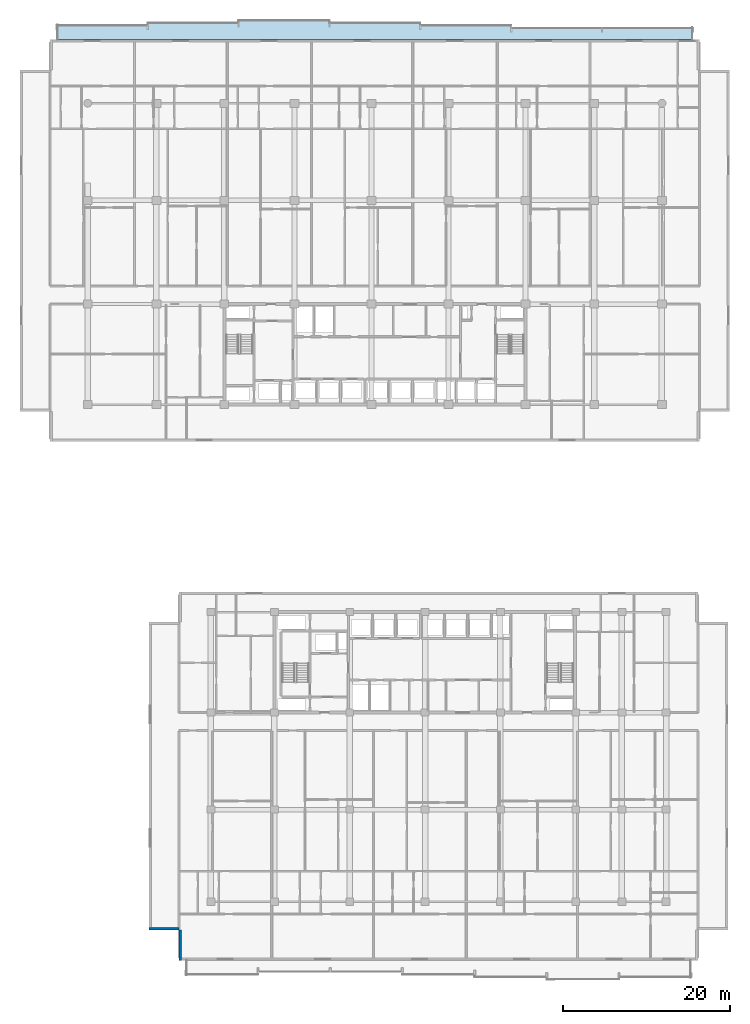
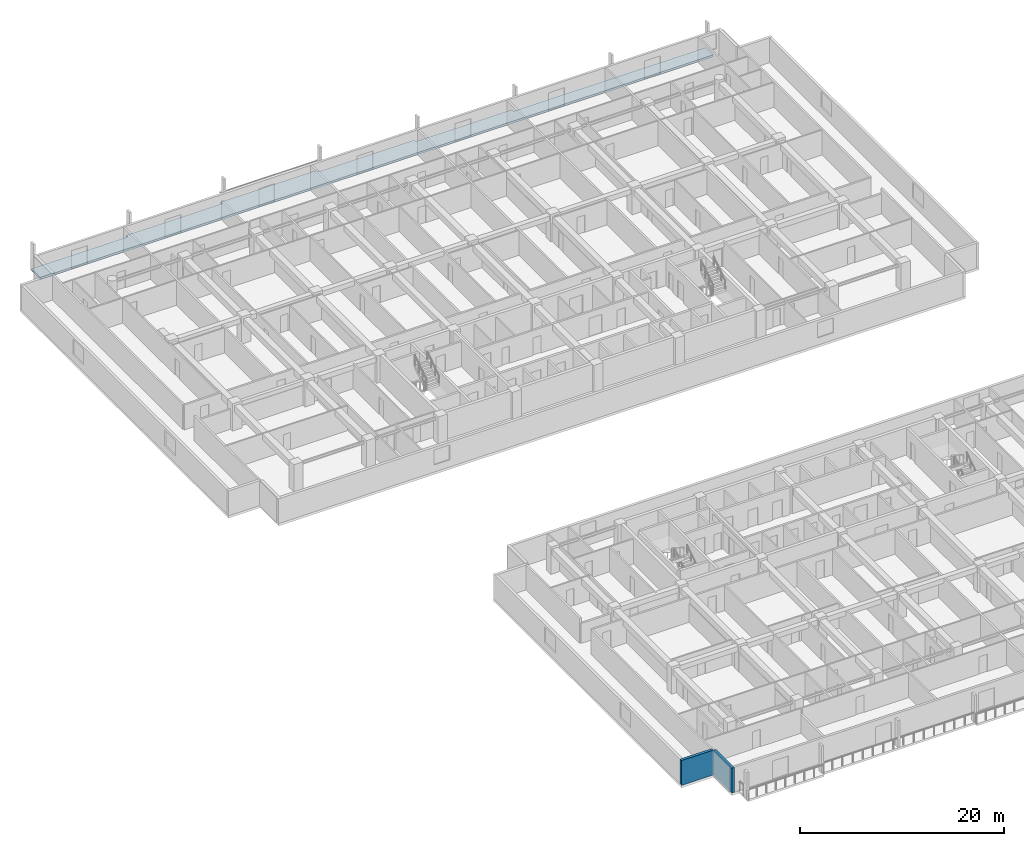
# One storey, part 3 of 23: 2 walls, 1 slab.
"""IFC4 building model written with IfcOpenShell, lengths in metres."""

from ifc_helpers import new_model, si_unit, direction, frame, frame_2d, origin, place, context, subcontext, project, spatial, polyline, rectangle, outline, extrude, material, layer, layer_set, type_object, element, save


model = new_model("IFC4")

# Units and contexts
model_context = context("Model", 3, precision=1e-05, world=origin(), true_north=direction((0.0, 1.0)))
body_context = subcontext(model_context, "Body", "Model", "MODEL_VIEW")
ifc_project = project(units=[si_unit("LENGTHUNIT", "METRE"), si_unit("AREAUNIT", "SQUARE_METRE"), si_unit("VOLUMEUNIT", "CUBIC_METRE"), si_unit("PLANEANGLEUNIT", "RADIAN"), si_unit("MASSUNIT", "GRAM", prefix="KILO")], contexts=[model_context])

# Site, building, storey
site_placement = place(None, origin())
site = spatial("IfcSite", under=ifc_project, at=site_placement, CompositionType="ELEMENT")
building_placement = place(site_placement, origin())
building = spatial("IfcBuilding", under=site, at=building_placement, Name="Korimba Cascade Residences", CompositionType="ELEMENT")
storey_placement = place(building_placement, frame((0.0, 0.0, 27.25)))
storey = spatial("IfcBuildingStorey", under=building, at=storey_placement, Name="L06", CompositionType="ELEMENT", Elevation=27.25)

# Slab
ifc_material = material(Name="Precast concrete C40/50", Category="concrete")
ifc_layer_1 = layer(ifc_material, 0.239990234375)
ifc_layer_set_1 = layer_set([ifc_layer_1], Name="Precast concrete C40/50")
slab_type = type_object("IfcSlabType", Name="SLB-LOG-240", PredefinedType="FLOOR", material=ifc_layer_set_1)
slab_placement = place(storey_placement, frame((0.0, 0.0, -0.239990234375)))
element("IfcSlab", 1, at=slab_placement, inside=storey, type_object=slab_type, Name="L06 Tower 1 North Loggia Slab", PredefinedType="FLOOR", context=body_context, shape_type="SweptSolid", body=[
    extrude(outline(polyline([(56.10009765625, 98.800048828125), (132.10009765625, 98.800048828125), (132.10009765625, 100.25), (110.3857421875, 100.25), (110.3857421875, 100.550048828125), (99.528564453125, 100.550048828125), (99.528564453125, 100.85009765625), (88.67138671875, 100.85009765625), (88.67138671875, 101.14990234375), (77.814208984375, 101.14990234375), (77.814208984375, 100.85009765625), (66.95703125, 100.85009765625), (66.95703125, 100.550048828125), (56.10009765625, 100.550048828125), (56.10009765625, 98.800048828125)])), origin(), (0.0, 0.0, 1.0), 0.239990234375),
])

# Walls
ifc_layer_2 = layer(ifc_material, 0.300048828125)
ifc_layer_set_2 = layer_set([ifc_layer_2], Name="Precast concrete C40/50")
wall_type = type_object("IfcWallType", Name="EW-STONE-300", PredefinedType="STANDARD", material=ifc_layer_set_2)
for number, where, z_axis, x_axis, name in (
    (2, (67.10009765625, -7.449951171875, 0.0), (0.0, 0.0, 1.0), (1.0, 0.0, 0.0), "L06 T2 Perimeter Stone Wall E10"),
    (3, (70.85009765625, -7.60009765625, 0.0), (0.0, 0.0, 1.0), (0.0, -1.0, 0.0), "L06 T2 Perimeter Stone Wall E11"),
):
    element("IfcWall", number, at=place(storey_placement, frame(where, z_axis=z_axis, x_axis=x_axis)), inside=storey, type_object=wall_type, Name=name, PredefinedType="STANDARD", context=body_context, shape_type="SweptSolid", body=[
        extrude(rectangle(XDim=3.599853515625, YDim=0.300048828125, at=frame_2d((1.7998046875, 0.0))), origin(), (0.0, 0.0, 1.0), 2.969970703125),
    ])

save(model, "model.ifc")
